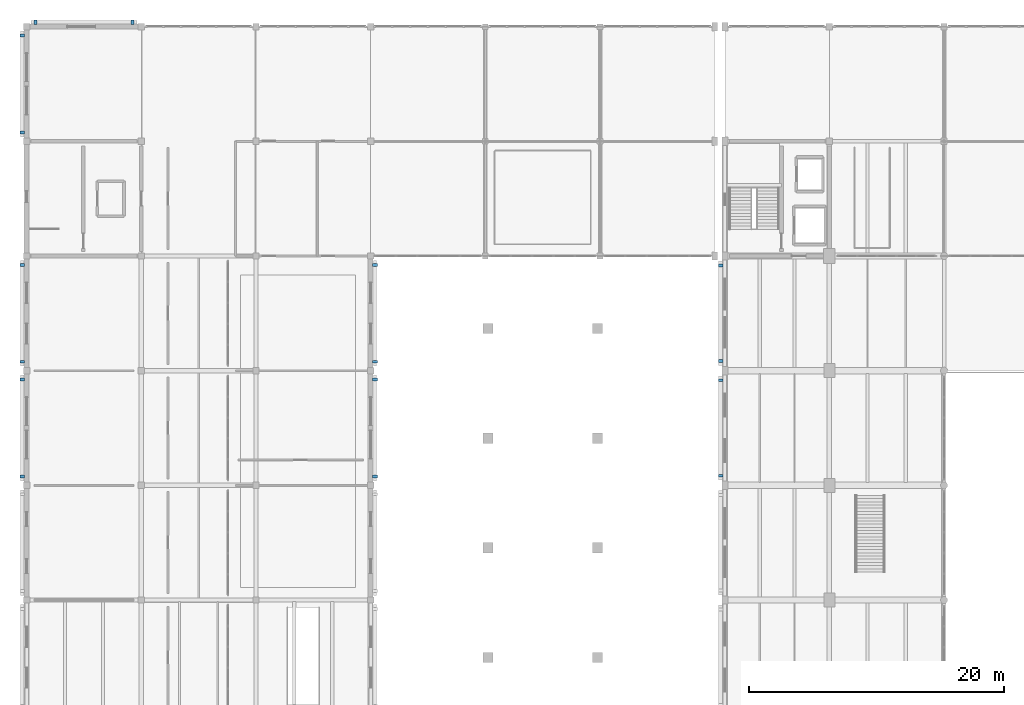
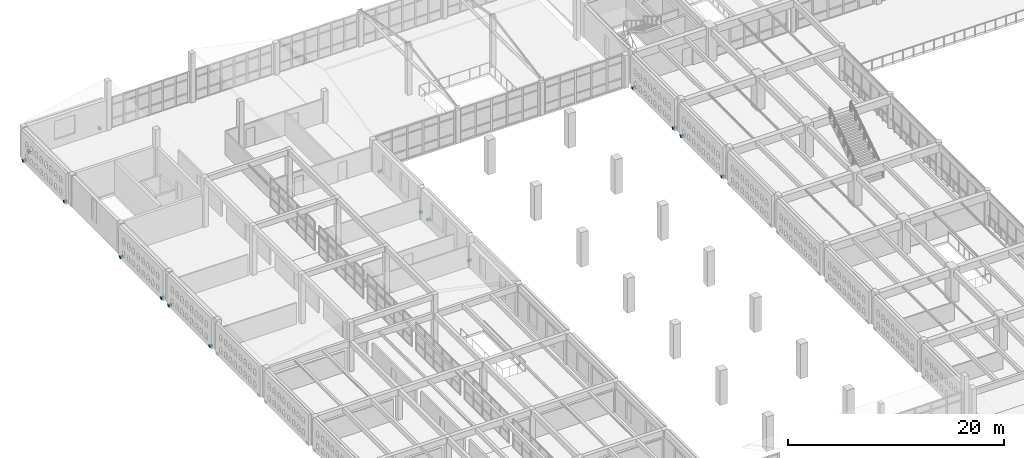
# One storey, part 140 of 156: 16 discrete accessories.
"""IFC4 building model written with IfcOpenShell, lengths in metres."""

from ifc_helpers import new_model, si_unit, direction, frame, origin, origin_2d, place, context, subcontext, project, spatial, rectangle, extrude, material, type_object, element, save


model = new_model("IFC4")

# Units and contexts
model_context = context("Model", 3, precision=1e-05, world=origin(), true_north=direction((0.0, 1.0)))
body_context = subcontext(model_context, "Body", "Model", "MODEL_VIEW")
ifc_project = project(units=[si_unit("LENGTHUNIT", "METRE"), si_unit("AREAUNIT", "SQUARE_METRE"), si_unit("VOLUMEUNIT", "CUBIC_METRE"), si_unit("PLANEANGLEUNIT", "RADIAN"), si_unit("MASSUNIT", "GRAM", prefix="KILO")], contexts=[model_context])

# Site, building, storey
site_placement = place(None, origin())
site = spatial("IfcSite", under=ifc_project, at=site_placement, CompositionType="ELEMENT")
building_placement = place(site_placement, origin())
building = spatial("IfcBuilding", under=site, at=building_placement, Name="Ornek Quay Market", CompositionType="ELEMENT")
storey_placement = place(building_placement, frame((0.0, 0.0, 4.5)))
storey = spatial("IfcBuildingStorey", under=building, at=storey_placement, Name="L01", CompositionType="ELEMENT", Elevation=4.5)

# Discrete accessories
ifc_material = material(Name="Stainless steel 316", Category="steel")
discrete_accessory_type = type_object("IfcDiscreteAccessoryType", Name="ACC-BRK-SCREEN-250", PredefinedType="BRACKET", material=ifc_material)
for number, where, z_axis, x_axis, name in (
    (1, (-0.340087890625, 74.699951171875, 0.0), (0.0, 0.0, 1.0), (0.0, 1.0, 0.0), "Masonry screen bracket BRK-035"),
    (2, (-0.340087890625, 82.300048828125, 0.0), (0.0, 0.0, 1.0), (0.0, 1.0, 0.0), "Masonry screen bracket BRK-036"),
    (3, (-0.340087890625, 83.699951171875, 0.0), (0.0, 0.0, 1.0), (0.0, 1.0, 0.0), "Masonry screen bracket BRK-037"),
    (4, (-0.340087890625, 91.300048828125, 0.0), (0.0, 0.0, 1.0), (0.0, 1.0, 0.0), "Masonry screen bracket BRK-038"),
    (5, (-0.340087890625, 101.699951171875, 0.0), (0.0, 0.0, 1.0), (0.0, 1.0, 0.0), "Masonry screen bracket BRK-039"),
    (6, (-0.340087890625, 109.300048828125, 0.0), (0.0, 0.0, 1.0), (0.0, 1.0, 0.0), "Masonry screen bracket BRK-040"),
    (7, (27.340087890625, 74.699951171875, 0.0), (0.0, 0.0, 1.0), (0.0, 1.0, 0.0), "Masonry screen bracket BRK-051"),
    (8, (27.340087890625, 82.300048828125, 0.0), (0.0, 0.0, 1.0), (0.0, 1.0, 0.0), "Masonry screen bracket BRK-052"),
    (9, (27.340087890625, 83.699951171875, 0.0), (0.0, 0.0, 1.0), (0.0, 1.0, 0.0), "Masonry screen bracket BRK-053"),
    (10, (27.340087890625, 91.300048828125, 0.0), (0.0, 0.0, 1.0), (0.0, 1.0, 0.0), "Masonry screen bracket BRK-054"),
    (11, (0.699951171875, 110.340087890625, 0.0), (0.0, 0.0, 1.0), (1.0, 0.0, 0.0), "Masonry screen bracket BRK-059"),
    (12, (8.300048828125, 110.340087890625, 0.0), (0.0, 0.0, 1.0), (1.0, 0.0, 0.0), "Masonry screen bracket BRK-060"),
    (13, (54.4599609375, 74.75, 0.0), (0.0, 0.0, 1.0), (0.0, 1.0, 0.0), "Masonry screen bracket BRK-093"),
    (14, (54.4599609375, 82.25, 0.0), (0.0, 0.0, 1.0), (0.0, 1.0, 0.0), "Masonry screen bracket BRK-094"),
    (15, (54.4599609375, 83.75, 0.0), (0.0, 0.0, 1.0), (0.0, 1.0, 0.0), "Masonry screen bracket BRK-095"),
    (16, (54.4599609375, 91.25, 0.0), (0.0, 0.0, 1.0), (0.0, 1.0, 0.0), "Masonry screen bracket BRK-096"),
):
    element("IfcDiscreteAccessory", number, at=place(storey_placement, frame(where, z_axis=z_axis, x_axis=x_axis)), inside=storey, type_object=discrete_accessory_type, Name=name, PredefinedType="BRACKET", context=body_context, shape_type="SweptSolid", body=[
        extrude(rectangle(XDim=0.219970703125, YDim=0.360107421875, at=origin_2d()), origin(), (0.0, 0.0, 1.0), 0.260009765625),
    ])

save(model, "model.ifc")
